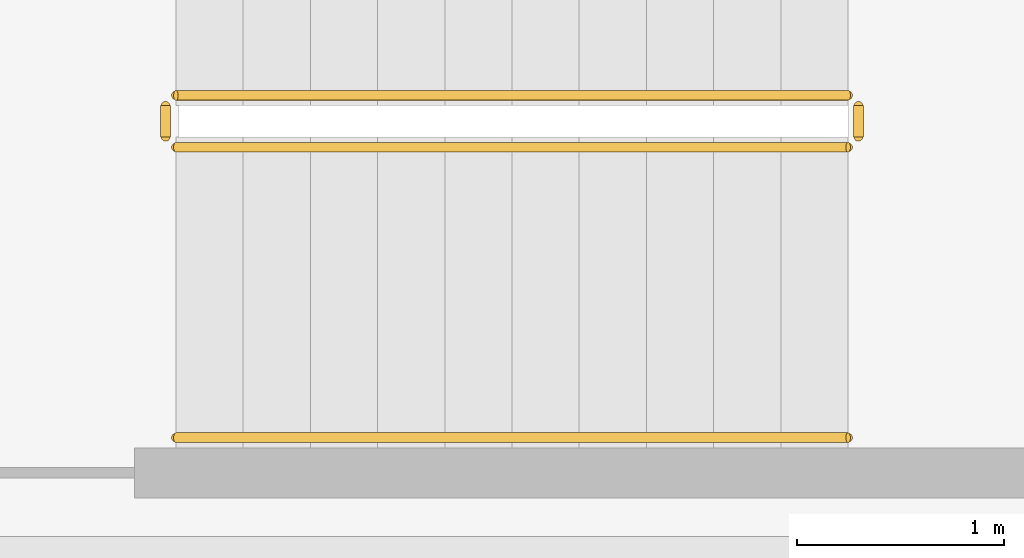
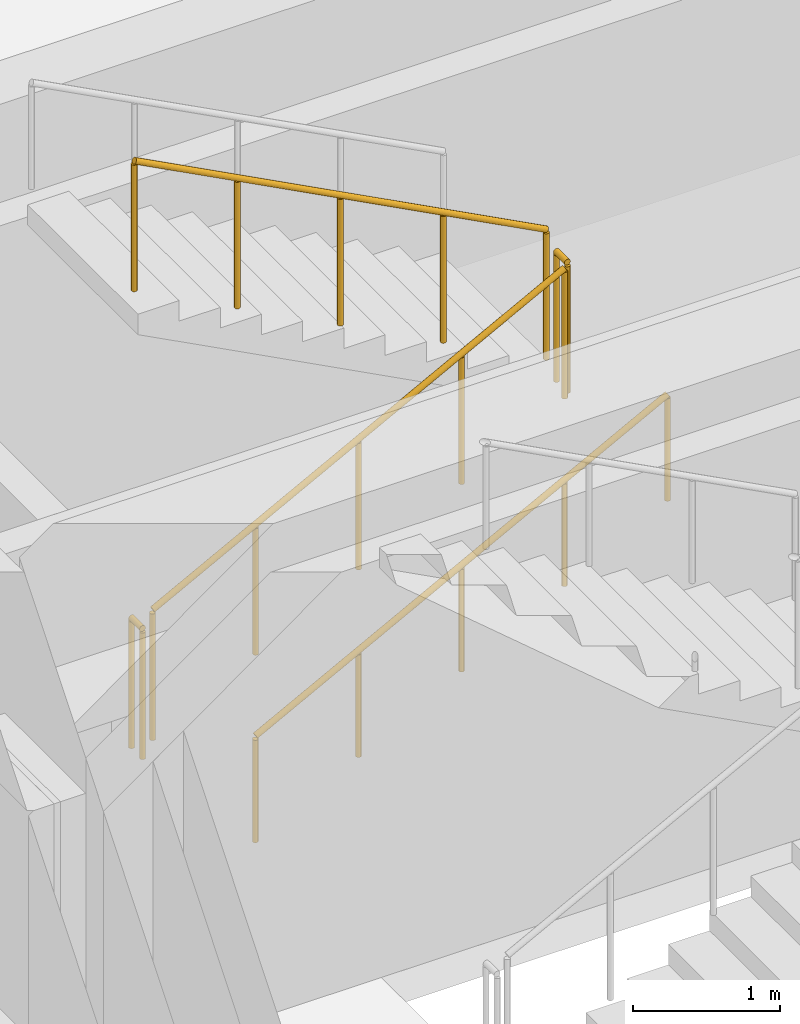
# One storey, part 14 of 15: 5 railings.
"""IFC4 building model written with IfcOpenShell, lengths in metres."""

from ifc_helpers import new_model, si_unit, direction, frame, origin, origin_2d, place, context, subcontext, project, spatial, circle, extrude, material, type_object, element, save


model = new_model("IFC4")

# Units and contexts
model_context = context("Model", 3, precision=1e-05, world=origin(), true_north=direction((0.0, 1.0)))
body_context = subcontext(model_context, "Body", "Model", "MODEL_VIEW")
ifc_project = project(units=[si_unit("LENGTHUNIT", "METRE"), si_unit("AREAUNIT", "SQUARE_METRE"), si_unit("VOLUMEUNIT", "CUBIC_METRE"), si_unit("PLANEANGLEUNIT", "RADIAN"), si_unit("MASSUNIT", "GRAM", prefix="KILO")], contexts=[model_context])

# Site, building, storey
site_placement = place(None, origin())
site = spatial("IfcSite", under=ifc_project, at=site_placement, CompositionType="ELEMENT")
building_placement = place(site_placement, origin())
building = spatial("IfcBuilding", under=site, at=building_placement, Name="Kolvaren Arena Tower", CompositionType="ELEMENT")
storey_placement = place(building_placement, frame((0.0, 0.0, 304.89990234375)))
storey = spatial("IfcBuildingStorey", under=building, at=storey_placement, Name="L75", CompositionType="ELEMENT", Elevation=304.89990234375)

# Railings
ifc_material_1 = material(Name="Painted galvanized steel", Category="steel")
railing_type_1 = type_object("IfcRailingType", Name="GUARD-ST-110", PredefinedType="GUARDRAIL", material=ifc_material_1)
railing_1_placement = place(storey_placement, frame((52.679931640625, 36.39990234375, 0.170654296875)))
element("IfcRailing", 1, at=railing_1_placement, inside=storey, type_object=railing_type_1, Name="L75 ST-E2 stair guard 1", PredefinedType="GUARDRAIL", context=body_context, shape_type="SweptSolid", body=[
    extrude(circle(Radius=0.02392578125, at=origin_2d()), frame((0.0, 0.0, 1.076171875), z_axis=(0.885020909582, 0.0, 0.465551274945), x_axis=(0.0, 1.0, 0.0)), (0.0, 0.0, 1.0), 3.660888671875),
    extrude(circle(Radius=0.02099609375, at=origin_2d()), origin(), (0.0, 0.0, 1.0), 1.052001953125),
    extrude(circle(Radius=0.02099609375, at=origin_2d()), frame((0.81005859375, 0.0, 0.426025390625)), (0.0, 0.0, 1.0), 1.052001953125),
    extrude(circle(Radius=0.02099609375, at=origin_2d()), frame((1.6201171875, 0.0, 0.85205078125)), (0.0, 0.0, 1.0), 1.052001953125),
    extrude(circle(Radius=0.02099609375, at=origin_2d()), frame((2.429931640625, 0.0, 1.2783203125)), (0.0, 0.0, 1.0), 1.052001953125),
    extrude(circle(Radius=0.02099609375, at=origin_2d()), frame((3.239990234375, 0.0, 1.704345703125)), (0.0, 0.0, 1.0), 1.052001953125),
])
railing_2_placement = place(storey_placement, frame((55.969970703125, 36.449951171875, 1.875)))
element("IfcRailing", 2, at=railing_2_placement, inside=storey, type_object=railing_type_1, Name="L75 ST-E2 stair guard 2", PredefinedType="GUARDRAIL", context=body_context, shape_type="SweptSolid", body=[
    extrude(circle(Radius=0.02392578125, at=origin_2d()), frame((0.0, 0.0, 1.076171875), z_axis=(0.0, 1.0, 0.0), x_axis=(-1.0, 0.0, 0.0)), (0.0, 0.0, 1.0), 0.150146484375),
    extrude(circle(Radius=0.02099609375, at=origin_2d()), origin(), (0.0, 0.0, 1.0), 1.052001953125),
    extrude(circle(Radius=0.02099609375, at=origin_2d()), frame((0.0, 0.150146484375, 0.0)), (0.0, 0.0, 1.0), 1.052001953125),
])
railing_3_placement = place(storey_placement, frame((55.919921875, 36.64990234375, 2.045654296875)))
element("IfcRailing", 3, at=railing_3_placement, inside=storey, type_object=railing_type_1, Name="L75 ST-E2 stair guard 3", PredefinedType="GUARDRAIL", context=body_context, shape_type="SweptSolid", body=[
    extrude(circle(Radius=0.02392578125, at=origin_2d()), frame((0.0, 0.0, 1.076171875), z_axis=(-0.885020909582, 0.0, 0.465551274945), x_axis=(0.0, -1.0, 0.0)), (0.0, 0.0, 1.0), 3.660888671875),
    extrude(circle(Radius=0.02099609375, at=origin_2d()), origin(), (0.0, 0.0, 1.0), 1.052001953125),
    extrude(circle(Radius=0.02099609375, at=origin_2d()), frame((-0.81005859375, 0.0, 0.426025390625)), (0.0, 0.0, 1.0), 1.052001953125),
    extrude(circle(Radius=0.02099609375, at=origin_2d()), frame((-1.6201171875, 0.0, 0.85205078125)), (0.0, 0.0, 1.0), 1.052001953125),
    extrude(circle(Radius=0.02099609375, at=origin_2d()), frame((-2.429931640625, 0.0, 1.2783203125)), (0.0, 0.0, 1.0), 1.052001953125),
    extrude(circle(Radius=0.02099609375, at=origin_2d()), frame((-3.239990234375, 0.0, 1.704345703125)), (0.0, 0.0, 1.0), 1.052001953125),
])
railing_4_placement = place(storey_placement, frame((52.6298828125, 36.449951171875, 0.0)))
element("IfcRailing", 4, at=railing_4_placement, inside=storey, type_object=railing_type_1, Name="L75 ST-E2 stair guard 4", PredefinedType="GUARDRAIL", context=body_context, shape_type="SweptSolid", body=[
    extrude(circle(Radius=0.02392578125, at=origin_2d()), frame((0.0, 0.0, 1.076171875), z_axis=(0.0, 1.0, 0.0), x_axis=(-1.0, 0.0, 0.0)), (0.0, 0.0, 1.0), 0.150146484375),
    extrude(circle(Radius=0.02099609375, at=origin_2d()), origin(), (0.0, 0.0, 1.0), 1.052001953125),
    extrude(circle(Radius=0.02099609375, at=origin_2d()), frame((0.0, 0.150146484375, 0.0)), (0.0, 0.0, 1.0), 1.052001953125),
])
ifc_material_2 = material(Name="Brushed stainless steel handrail", Category="steel")
railing_type_2 = type_object("IfcRailingType", Name="HRAIL-900", PredefinedType="HANDRAIL", material=ifc_material_2)
railing_5_placement = place(storey_placement, frame((52.679931640625, 35.0, 0.170654296875)))
element("IfcRailing", 5, at=railing_5_placement, inside=storey, type_object=railing_type_2, Name="L75 ST-E2 stair handrail 1", PredefinedType="HANDRAIL", context=body_context, shape_type="SweptSolid", body=[
    extrude(circle(Radius=0.02392578125, at=origin_2d()), frame((0.0, 0.0, 0.8759765625), z_axis=(0.885020909582, 0.0, 0.465551274945), x_axis=(0.0, 1.0, 0.0)), (0.0, 0.0, 1.0), 3.660888671875),
    extrude(circle(Radius=0.02099609375, at=origin_2d()), origin(), (0.0, 0.0, 1.0), 0.851806640625),
    extrude(circle(Radius=0.02099609375, at=origin_2d()), frame((0.81005859375, 0.0, 0.426025390625)), (0.0, 0.0, 1.0), 0.851806640625),
    extrude(circle(Radius=0.02099609375, at=origin_2d()), frame((1.6201171875, 0.0, 0.85205078125)), (0.0, 0.0, 1.0), 0.851806640625),
    extrude(circle(Radius=0.02099609375, at=origin_2d()), frame((2.429931640625, 0.0, 1.2783203125)), (0.0, 0.0, 1.0), 0.851806640625),
    extrude(circle(Radius=0.02099609375, at=origin_2d()), frame((3.239990234375, 0.0, 1.704345703125)), (0.0, 0.0, 1.0), 0.851806640625),
])

save(model, "model.ifc")
